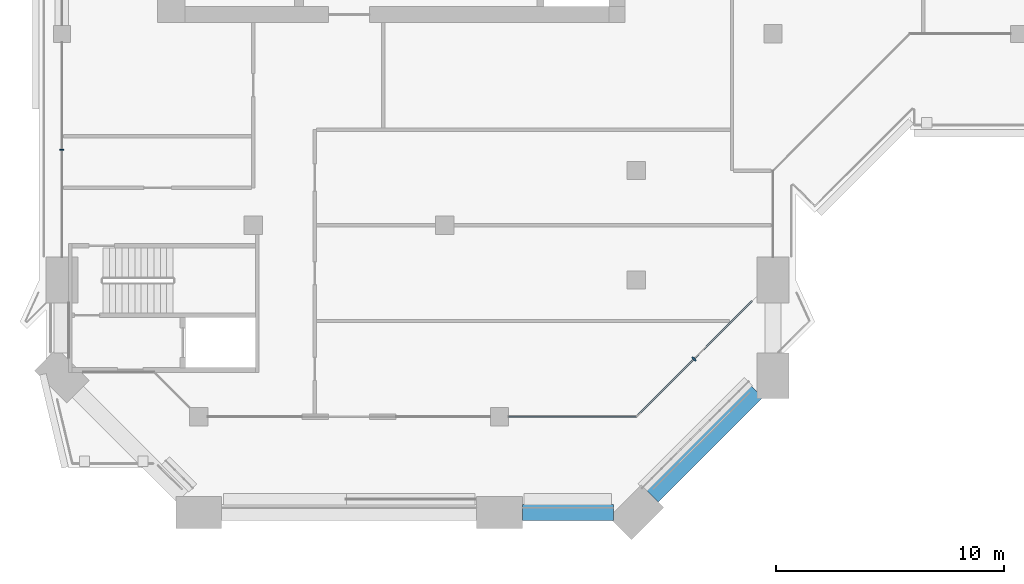
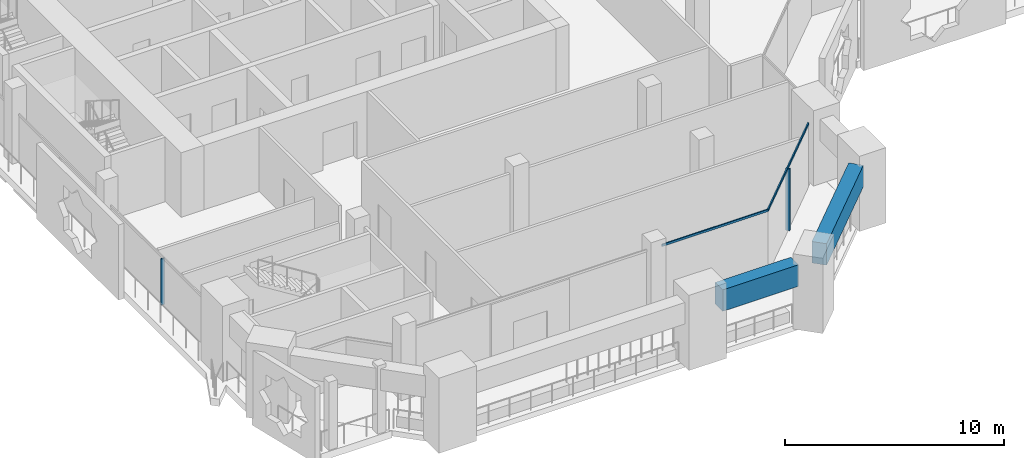
# One storey, part 2 of 20: 4 members, 2 beams, 3 elements without a shape of their own.
"""IFC4 building model written with IfcOpenShell, lengths in metres."""

import ifcopenshell
import ifcopenshell.guid

model = None  # the IFC model being written
_history = None  # IfcOwnerHistory: only IFC2X3 demands one
_inside = {}  # id of a spatial element -> (the spatial element, [elements in it])
_under = {}  # id of a project, library or spatial element -> (it, [spatial elements below it])
_declared = {}  # id of a project -> (the project, [libraries it declares])
_typed = {}  # id of a type object -> (the type object, [elements of that type])
_made_of = {}  # id of a material, layer set ... -> (it, [elements and type objects made of it])


def new_model(schema):
    """Start an empty IFC model of exactly this schema.

    Asked for "IFC4X3", IfcOpenShell would pick the latest addendum, in which some entities
    have other attributes; the version numbers below select the first issue.
    IFC2X3 requires an IfcOwnerHistory on every rooted entity: one is made here for all.
    """
    global model, _history
    if schema == "IFC4X3":
        model = ifcopenshell.file(schema_version=(4, 3, 0, 0))
    else:
        model = ifcopenshell.file(schema=schema)
    _inside.clear()
    _under.clear()
    _declared.clear()
    _typed.clear()
    _made_of.clear()
    _history = None
    if model.schema == "IFC2X3":
        org = make("IfcOrganization", Name="unknown")
        user = make(
            "IfcPersonAndOrganization",
            ThePerson=make("IfcPerson", FamilyName="unknown"),
            TheOrganization=org,
        )
        app = make(
            "IfcApplication",
            ApplicationDeveloper=org,
            Version="unknown",
            ApplicationFullName="unknown",
            ApplicationIdentifier="unknown",
        )
        _history = make(
            "IfcOwnerHistory",
            OwningUser=user,
            OwningApplication=app,
            ChangeAction="ADDED",
            CreationDate=0,
        )
    return model


def make(cls, **values):
    """One entity of the class cls with the attributes given. An attribute that is None is left unset."""
    return model.create_entity(
        cls, **{name: value for name, value in values.items() if value is not None}
    )


def rooted(cls, **values):
    """An entity with a GlobalId (a new one), such as an element, a storey or a relation."""
    return make(cls, GlobalId=ifcopenshell.guid.new(), OwnerHistory=_history, **values)


def si_unit(unit_type, name, prefix=None):
    """IfcSIUnit, for example si_unit("LENGTHUNIT", "METRE", prefix="MILLI")."""
    return make("IfcSIUnit", UnitType=unit_type, Prefix=prefix, Name=name)


def assignment(units):
    """IfcUnitAssignment: the units of a project."""
    return None if units is None else make("IfcUnitAssignment", Units=units)


def point(xyz):
    """IfcCartesianPoint."""
    return None if xyz is None else make("IfcCartesianPoint", Coordinates=xyz)


def direction(xyz):
    """IfcDirection."""
    return None if xyz is None else make("IfcDirection", DirectionRatios=xyz)


def frame(location, z_axis=None, x_axis=None):
    """IfcAxis2Placement3D, a coordinate frame: its origin and axes. An axis left out is left unset."""
    return make(
        "IfcAxis2Placement3D",
        Location=point(location),
        Axis=direction(z_axis),
        RefDirection=direction(x_axis),
    )


def frame_2d(location, x_axis=None):
    """IfcAxis2Placement2D, a coordinate frame in the plane: its origin and x axis."""
    return make(
        "IfcAxis2Placement2D", Location=point(location), RefDirection=direction(x_axis)
    )


def origin():
    """The frame at (0, 0, 0) with its axes left unset."""
    return frame((0.0, 0.0, 0.0))


def origin_2d():
    """The frame at (0, 0) in the plane with its x axis left unset."""
    return frame_2d((0.0, 0.0))


def place(relative_to, where):
    """IfcLocalPlacement: puts the frame where relative to a parent placement (None: the world)."""
    return make(
        "IfcLocalPlacement", PlacementRelTo=relative_to, RelativePlacement=where
    )


def context(
    kind, dimensions, precision=None, world=None, true_north=None, identifier=None
):
    """IfcGeometricRepresentationContext, for example the 3D "Model" context."""
    return make(
        "IfcGeometricRepresentationContext",
        ContextIdentifier=identifier,
        ContextType=kind,
        CoordinateSpaceDimension=dimensions,
        Precision=precision,
        WorldCoordinateSystem=world,
        TrueNorth=true_north,
    )


def subcontext(parent, identifier, kind, view, scale=None):
    """IfcGeometricRepresentationSubContext, for example "Body" below "Model"."""
    return make(
        "IfcGeometricRepresentationSubContext",
        ContextIdentifier=identifier,
        ContextType=kind,
        ParentContext=parent,
        TargetScale=scale,
        TargetView=view,
    )


def project(units=None, contexts=None):
    """IfcProject with its units and contexts."""
    return rooted(
        "IfcProject",
        Name="project",
        RepresentationContexts=contexts,
        UnitsInContext=assignment(units),
    )


def spatial(cls, under=None, at=None, **own):
    """A site, building, storey or space (cls), placed at a placement, below another one or the project."""
    s = rooted(cls, ObjectPlacement=at, **own)
    if under is not None:
        _under.setdefault(under.id(), (under, []))[1].append(s)
    return s


def profile(cls, at=None, kind="AREA", **sizes):
    """A parametric profile (cls). Its sizes go by their IFC names, for example OverallWidth=200.0."""
    return make(cls, ProfileType=kind, Position=at, **sizes)


def rectangle(**sizes):
    """IfcRectangleProfileDef."""
    return profile("IfcRectangleProfileDef", **sizes)


def extrude(swept, where, along, depth):
    """IfcExtrudedAreaSolid: the profile swept, set in the frame where, extruded along a direction by depth."""
    return make(
        "IfcExtrudedAreaSolid",
        SweptArea=swept,
        Position=where,
        ExtrudedDirection=direction(along),
        Depth=depth,
    )


def shape(context_of_items, identifier, shape_type, items):
    """IfcShapeRepresentation: the items that make up one representation, for example the "Body"."""
    return make(
        "IfcShapeRepresentation",
        ContextOfItems=context_of_items,
        RepresentationIdentifier=identifier,
        RepresentationType=shape_type,
        Items=items,
    )


def material(Name=None, Category=None):
    """IfcMaterial."""
    return make("IfcMaterial", Name=Name, Category=Category)


def layer(
    of_material, thickness, ventilated=None, Name=None, Category=None, Priority=None
):
    """IfcMaterialLayer: one layer of a wall or slab, of a material (None: an air gap)."""
    return make(
        "IfcMaterialLayer",
        Material=of_material,
        LayerThickness=thickness,
        IsVentilated=ventilated,
        Name=Name,
        Category=Category,
        Priority=Priority,
    )


def layer_set(layers, Name=None):
    """IfcMaterialLayerSet."""
    return make("IfcMaterialLayerSet", MaterialLayers=layers, LayerSetName=Name)


def material_profile(
    of_material, cross_section, Name=None, Category=None, Priority=None
):
    """IfcMaterialProfile: a cross section and its material."""
    return make(
        "IfcMaterialProfile",
        Name=Name,
        Material=of_material,
        Profile=cross_section,
        Priority=Priority,
        Category=Category,
    )


def profile_set(profiles, Name=None, composite=None):
    """IfcMaterialProfileSet."""
    return make(
        "IfcMaterialProfileSet",
        Name=Name,
        MaterialProfiles=profiles,
        CompositeProfile=composite,
    )


def made_of(thing, what):
    """Note that an element or type object is made of a material, layer set ...; save() writes the relation."""
    if what is not None:
        _made_of.setdefault(what.id(), (what, []))[1].append(thing)
    return thing


def type_object(cls, material=None, **own):
    """A type object (cls), such as IfcWallType, which elements share."""
    return made_of(rooted(cls, **own), material)


def element(
    cls,
    number,
    at=None,
    inside=None,
    cuts=None,
    type_object=None,
    material=None,
    context=None,
    identifier="Body",
    shape_type=None,
    held_by="IfcProductDefinitionShape",
    body=None,
    shapes=None,
    **own,
):
    """One element of the class cls, such as IfcWall. Its Tag is "e" and its number.

    at: its placement. inside: the storey or other place that contains it. cuts: it is an
    opening in that element (IfcRelVoidsElement). A single representation is given by context,
    identifier, shape_type and body (its items); several are given by shapes. held_by: the class
    of the entity that holds the representations. save() writes the other relations.
    """
    e = rooted(cls, Tag="e%d" % number, ObjectPlacement=at, **own)
    if body is not None:
        shapes = [shape(context, identifier, shape_type, body)]
    if shapes is not None:
        e.Representation = make(held_by, Representations=shapes)
    if inside is not None:
        _inside.setdefault(inside.id(), (inside, []))[1].append(e)
    if cuts is not None:
        rooted(
            "IfcRelVoidsElement", RelatingBuildingElement=cuts, RelatedOpeningElement=e
        )
    if type_object is not None:
        _typed.setdefault(type_object.id(), (type_object, []))[1].append(e)
    return made_of(e, material)


def aggregate(whole, parts):
    """IfcRelAggregates: a whole, such as a stair, and the parts it consists of."""
    return rooted("IfcRelAggregates", RelatingObject=whole, RelatedObjects=parts)


def save(model, path):
    """Write the relations noted so far, then the file.

    IfcRelAggregates (storeys below a building ...), IfcRelContainedInSpatialStructure (elements
    in a storey), IfcRelDefinesByType, IfcRelAssociatesMaterial and IfcRelDeclares: one each for
    every whole, place, type object, material and project.
    """
    for whole, parts in _under.values():
        aggregate(whole, parts)
    for where, things in _inside.values():
        rooted(
            "IfcRelContainedInSpatialStructure",
            RelatedElements=things,
            RelatingStructure=where,
        )
    for kind, things in _typed.values():
        rooted("IfcRelDefinesByType", RelatedObjects=things, RelatingType=kind)
    for what, things in _made_of.values():
        rooted("IfcRelAssociatesMaterial", RelatedObjects=things, RelatingMaterial=what)
    for by, libraries in _declared.values():
        rooted("IfcRelDeclares", RelatingContext=by, RelatedDefinitions=libraries)
    model.write(path)


model = new_model("IFC4")

# Units and contexts
model_context = context("Model", 3, precision=1e-05, world=origin(), true_north=direction((0.0, 1.0)))
body_context = subcontext(model_context, "Body", "Model", "MODEL_VIEW")
ifc_project = project(units=[si_unit("LENGTHUNIT", "METRE"), si_unit("AREAUNIT", "SQUARE_METRE"), si_unit("VOLUMEUNIT", "CUBIC_METRE"), si_unit("PLANEANGLEUNIT", "RADIAN"), si_unit("MASSUNIT", "GRAM", prefix="KILO")], contexts=[model_context])

# Site, building, storey
site_placement = place(None, origin())
site = spatial("IfcSite", under=ifc_project, at=site_placement, CompositionType="ELEMENT")
building_placement = place(site_placement, origin())
building = spatial("IfcBuilding", under=site, at=building_placement, Name="Kawkab Arch Medical Tower", CompositionType="ELEMENT")
storey_placement = place(building_placement, frame((0.0, 0.0, 290.199951171875)))
storey = spatial("IfcBuildingStorey", under=building, at=storey_placement, Name="L67", CompositionType="ELEMENT", Elevation=290.199951171875)

# Curtain wall, member
ifc_material_1 = material(Name="Bronze anodised aluminium curtain wall frame", Category="aluminium")
ifc_layer_1 = layer(ifc_material_1, 0.159912109375)
ifc_layer_set_1 = layer_set([ifc_layer_1], Name="Bronze anodised aluminium curtain wall frame")
curtain_wall_type_1 = type_object("IfcCurtainWallType", Name="CW1 ward curtain wall", PredefinedType="NOTDEFINED", material=ifc_layer_set_1)
placement = place(storey_placement, origin())
curtain_wall_1 = element("IfcCurtainWall", 1, at=placement, inside=storey, type_object=curtain_wall_type_1, Name="CW1 Ward curtain wall R02", PredefinedType="NOTDEFINED")
ifc_material_2 = material(Name="Bronze anodised aluminium curtain wall frame", Category="aluminium")
ifc_material_profile_1 = material_profile(ifc_material_2, rectangle(XDim=0.179931640625, YDim=0.06005859375, at=origin_2d()), Name="AL 60x180")
ifc_profile_set_1 = profile_set([ifc_material_profile_1], Name="Bronze anodised aluminium curtain wall frame")
member_type_1 = type_object("IfcMemberType", Name="CW1 mullion 60 x 180", PredefinedType="MULLION", material=ifc_profile_set_1)
member_1_placement = place(storey_placement, frame((0.0, -30.28759765625, 0.0), z_axis=(0.0, 0.0, 1.0), x_axis=(1.0, 0.0, 0.0)))
member_1 = element("IfcMember", 2, at=member_1_placement, type_object=member_type_1, Name="CW1 mullion 3.1", PredefinedType="MULLION", context=body_context, shape_type="SweptSolid", body=[
    extrude(rectangle(XDim=0.179931640625, YDim=0.06005859375, at=origin_2d()), origin(), (0.0, 0.0, 1.0), 2.580078125),
])
aggregate(curtain_wall_1, [member_1])

curtain_wall_2 = element("IfcCurtainWall", 3, at=placement, inside=storey, type_object=curtain_wall_type_1, Name="CW1 Ward curtain wall R07", PredefinedType="NOTDEFINED")
ifc_material_3 = material(Name="Bronze anodised aluminium curtain wall frame", Category="aluminium")
ifc_material_profile_2 = material_profile(ifc_material_3, rectangle(XDim=0.06005859375, YDim=0.1201171875, at=origin_2d()), Name="AL 60x120")
ifc_profile_set_2 = profile_set([ifc_material_profile_2], Name="Bronze anodised aluminium curtain wall frame")
member_type_2 = type_object("IfcMemberType", Name="CW1 transom 120 x 60", PredefinedType="USERDEFINED", material=ifc_profile_set_2)
member_2_placement = place(storey_placement, frame((19.60009765625, -42.0, 3.5400390625), z_axis=(1.0, 0.0, 0.0), x_axis=(0.0, 1.0, 0.0)))
member_2 = element("IfcMember", 4, at=member_2_placement, type_object=member_type_2, Name="CW1 transom 2", ObjectType="TRANSOM", PredefinedType="USERDEFINED", context=body_context, shape_type="SweptSolid", body=[
    extrude(rectangle(XDim=0.06005859375, YDim=0.1201171875, at=origin_2d()), origin(), (0.0, 0.0, 1.0), 5.599853515625),
])
aggregate(curtain_wall_2, [member_2])

# Curtain wall, members
ifc_material_4 = material(Name="Bronze anodised aluminium curtain wall frame", Category="aluminium")
ifc_layer_2 = layer(ifc_material_4, 0.159912109375)
ifc_layer_set_2 = layer_set([ifc_layer_2], Name="Bronze anodised aluminium curtain wall frame")
curtain_wall_type_2 = type_object("IfcCurtainWallType", Name="CW2 chamfer curtain wall", PredefinedType="NOTDEFINED", material=ifc_layer_set_2)
curtain_wall_3 = element("IfcCurtainWall", 5, at=placement, inside=storey, type_object=curtain_wall_type_2, Name="CW2 Chamfer curtain wall R08", PredefinedType="NOTDEFINED")
ifc_material_5 = material(Name="Bronze anodised aluminium curtain wall frame", Category="aluminium")
ifc_material_profile_3 = material_profile(ifc_material_5, rectangle(XDim=0.199951171875, YDim=0.06005859375, at=origin_2d()), Name="AL 60x200")
ifc_profile_set_3 = profile_set([ifc_material_profile_3], Name="Bronze anodised aluminium curtain wall frame")
member_type_3 = type_object("IfcMemberType", Name="CW2 mullion 60 x 200", PredefinedType="MULLION", material=ifc_profile_set_3)
member_3_placement = place(storey_placement, frame((27.73486328125, -39.465087890625, 0.0), z_axis=(0.0, 0.0, 1.0), x_axis=(-0.707106781187, 0.707106781187, 0.0)))
member_3 = element("IfcMember", 6, at=member_3_placement, type_object=member_type_3, Name="CW2 mullion 1.1", PredefinedType="MULLION", context=body_context, shape_type="SweptSolid", body=[
    extrude(rectangle(XDim=0.199951171875, YDim=0.06005859375, at=origin_2d()), origin(), (0.0, 0.0, 1.0), 3.4599609375),
])
ifc_material_6 = material(Name="Bronze anodised aluminium curtain wall frame", Category="aluminium")
ifc_material_profile_4 = material_profile(ifc_material_6, rectangle(XDim=0.06005859375, YDim=0.139892578125, at=origin_2d()), Name="AL 60x140")
ifc_profile_set_4 = profile_set([ifc_material_profile_4], Name="Bronze anodised aluminium curtain wall frame")
member_type_4 = type_object("IfcMemberType", Name="CW2 transom 140 x 60", PredefinedType="USERDEFINED", material=ifc_profile_set_4)
member_4_placement = place(storey_placement, frame((25.199951171875, -42.0, 3.530029296875), z_axis=(0.707123806981, 0.707089754982, 0.0), x_axis=(-0.707089754982, 0.707123806981, 0.0)))
member_4 = element("IfcMember", 7, at=member_4_placement, type_object=member_type_4, Name="CW2 transom 1", ObjectType="TRANSOM", PredefinedType="USERDEFINED", context=body_context, shape_type="SweptSolid", body=[
    extrude(rectangle(XDim=0.06005859375, YDim=0.139892578125, at=origin_2d()), origin(), (0.0, 0.0, 1.0), 7.169677734375),
])
aggregate(curtain_wall_3, [member_4, member_3])

# Beams
ifc_material_7 = material(Name="Concrete C40/50", Category="concrete")
ifc_material_profile_5 = material_profile(ifc_material_7, rectangle(XDim=0.699951171875, YDim=1.199951171875, at=origin_2d()), Name="RC 700x1200")
ifc_profile_set_5 = profile_set([ifc_material_profile_5], Name="Concrete C40/50")
beam_type = type_object("IfcBeamType", Name="RC 700x1200 beam C40/50", PredefinedType="BEAM", material=ifc_profile_set_5)
beam_1_placement = place(storey_placement, frame((30.5, -40.89990234375, 3.0), z_axis=(-0.707106781187, -0.707106781187, 0.0), x_axis=(0.707106781187, -0.707106781187, 0.0)))
element("IfcBeam", 8, at=beam_1_placement, inside=storey, type_object=beam_type, Name="Terrace frame beam TF-L67-1-L68-02", PredefinedType="BEAM", context=body_context, shape_type="SweptSolid", body=[
    extrude(rectangle(XDim=0.699951171875, YDim=1.199951171875, at=origin_2d()), origin(), (0.0, 0.0, 1.0), 6.49560546875),
])
beam_2_placement = place(storey_placement, frame((24.210205078125, -46.199951171875, 3.0), z_axis=(-1.0, 0.0, 0.0), x_axis=(0.0, -1.0, 0.0)))
element("IfcBeam", 9, at=beam_2_placement, inside=storey, type_object=beam_type, Name="Terrace frame beam TF-L67-1-L68-03", PredefinedType="BEAM", context=body_context, shape_type="SweptSolid", body=[
    extrude(rectangle(XDim=0.699951171875, YDim=1.199951171875, at=origin_2d()), origin(), (0.0, 0.0, 1.0), 4.01025390625),
])

save(model, "model.ifc")
